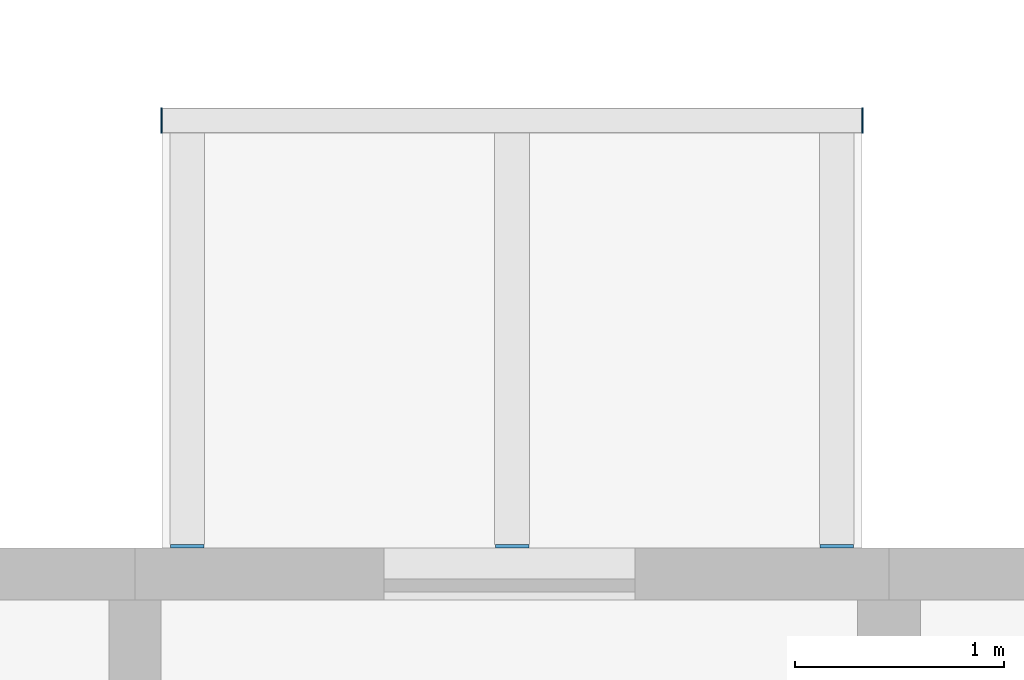
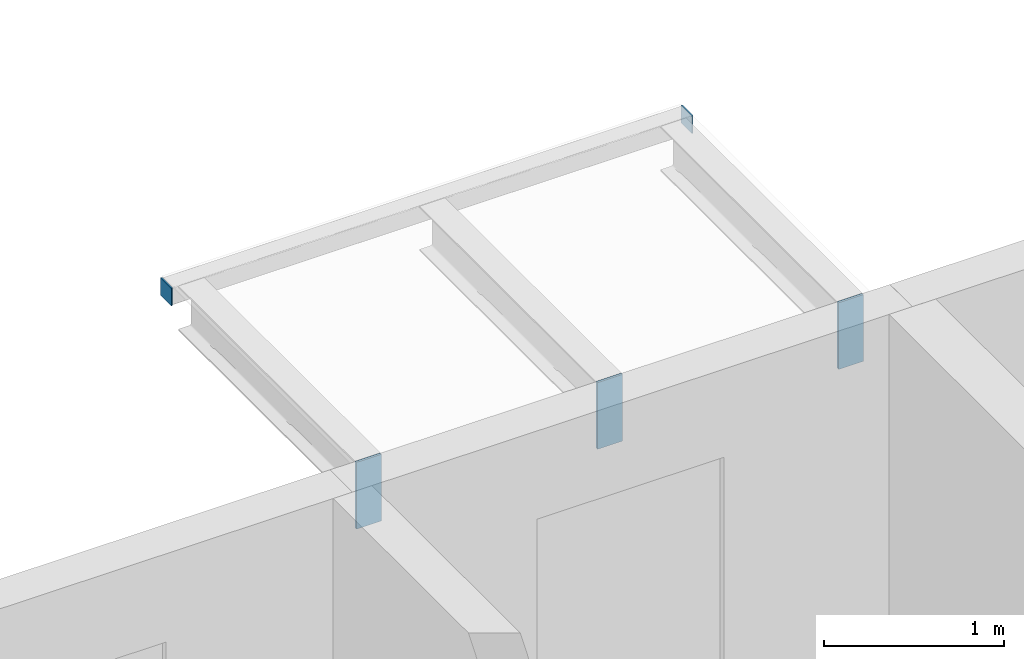
# One storey, part 65 of 98: 5 discrete accessories.
"""IFC4 building model written with IfcOpenShell, lengths in metres."""

from ifc_helpers import new_model, si_unit, direction, frame, origin, origin_2d, place, context, subcontext, project, spatial, rectangle, extrude, material, layer, layer_set, type_object, element, save


model = new_model("IFC4")

# Units and contexts
model_context = context("Model", 3, precision=1e-05, world=origin(), true_north=direction((0.0, 1.0)))
body_context = subcontext(model_context, "Body", "Model", "MODEL_VIEW")
ifc_project = project(units=[si_unit("LENGTHUNIT", "METRE"), si_unit("AREAUNIT", "SQUARE_METRE"), si_unit("VOLUMEUNIT", "CUBIC_METRE"), si_unit("PLANEANGLEUNIT", "RADIAN"), si_unit("MASSUNIT", "GRAM", prefix="KILO")], contexts=[model_context])

# Site, building, storey
site_placement = place(None, origin())
site = spatial("IfcSite", under=ifc_project, at=site_placement, CompositionType="ELEMENT")
building_placement = place(site_placement, origin())
building = spatial("IfcBuilding", under=site, at=building_placement, Name="Ridgestep Commons", CompositionType="ELEMENT")
storey_placement = place(building_placement, frame((0.0, 0.0, 12.0)))
storey = spatial("IfcBuildingStorey", under=building, at=storey_placement, Name="L04", CompositionType="ELEMENT", Elevation=12.0)

# Discrete accessories
ifc_material_1 = material(Name="Weathering steel S355J2W", Category="steel")
ifc_layer_1 = layer(ifc_material_1, 0.014892578125)
ifc_layer_set_1 = layer_set([ifc_layer_1], Name="Tray bracket plate 15")
discrete_accessory_type_1 = type_object("IfcDiscreteAccessoryType", Name="Tray bracket plate 15", PredefinedType="BRACKET", material=ifc_layer_set_1)
for number, where, z_axis, x_axis, name in (
    (1, (59.050048828125, 23.007568359375, 2.53662109375), (0.0, 0.0, 1.0), (1.0, 0.0, 0.0), "Tray bracket A3T1-05.1"),
    (2, (60.60009765625, 23.007568359375, 2.53662109375), (0.0, 0.0, 1.0), (1.0, 0.0, 0.0), "Tray bracket A3T1-05.2"),
    (3, (62.14990234375, 23.007568359375, 2.53662109375), (0.0, 0.0, 1.0), (1.0, 0.0, 0.0), "Tray bracket A3T1-05.3"),
):
    element("IfcDiscreteAccessory", number, at=place(storey_placement, frame(where, z_axis=z_axis, x_axis=x_axis)), inside=storey, type_object=discrete_accessory_type_1, Name=name, PredefinedType="BRACKET", context=body_context, shape_type="SweptSolid", body=[
        extrude(rectangle(XDim=0.159912109375, YDim=0.014892578125, at=origin_2d()), origin(), (0.0, 0.0, 1.0), 0.453369140625),
    ])
ifc_material_2 = material(Name="Weathering steel S355J2W", Category="steel")
ifc_layer_2 = layer(ifc_material_2, 0.008056640625)
ifc_layer_set_2 = layer_set([ifc_layer_2], Name="Tray edge member end plate 120 x 120 x 8")
discrete_accessory_type_2 = type_object("IfcDiscreteAccessoryType", Name="Tray edge member end plate 120 x 120 x 8", PredefinedType="BRACKET", material=ifc_layer_set_2)
for number, where, z_axis, x_axis, name in (
    (4, (58.926025390625, 25.0400390625, 2.869873046875), (0.0, 0.0, 1.0), (1.0, 0.0, 0.0), "Tray edge member end plate A3T1-05 west"),
    (5, (62.27392578125, 25.0400390625, 2.869873046875), (0.0, 0.0, 1.0), (1.0, 0.0, 0.0), "Tray edge member end plate A3T1-05 east"),
):
    element("IfcDiscreteAccessory", number, at=place(storey_placement, frame(where, z_axis=z_axis, x_axis=x_axis)), inside=storey, type_object=discrete_accessory_type_2, Name=name, PredefinedType="BRACKET", context=body_context, shape_type="SweptSolid", body=[
        extrude(rectangle(XDim=0.008056640625, YDim=0.1201171875, at=origin_2d()), origin(), (0.0, 0.0, 1.0), 0.1201171875),
    ])

save(model, "model.ifc")
